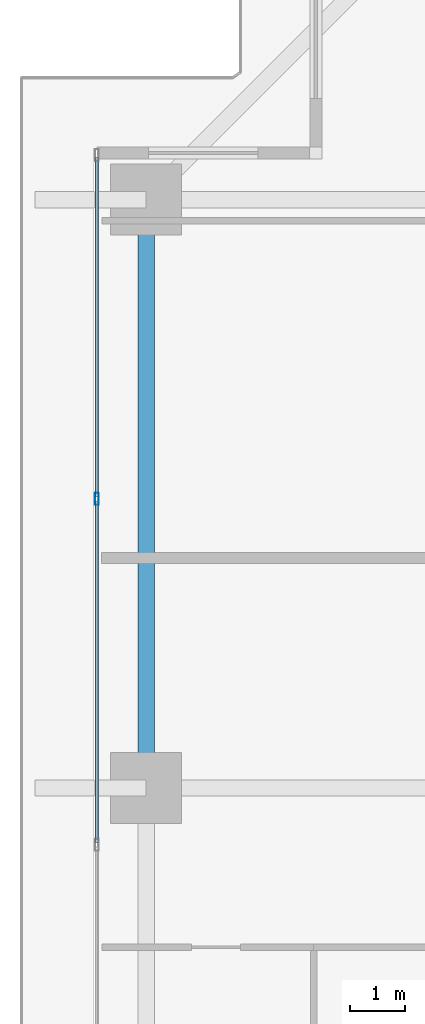
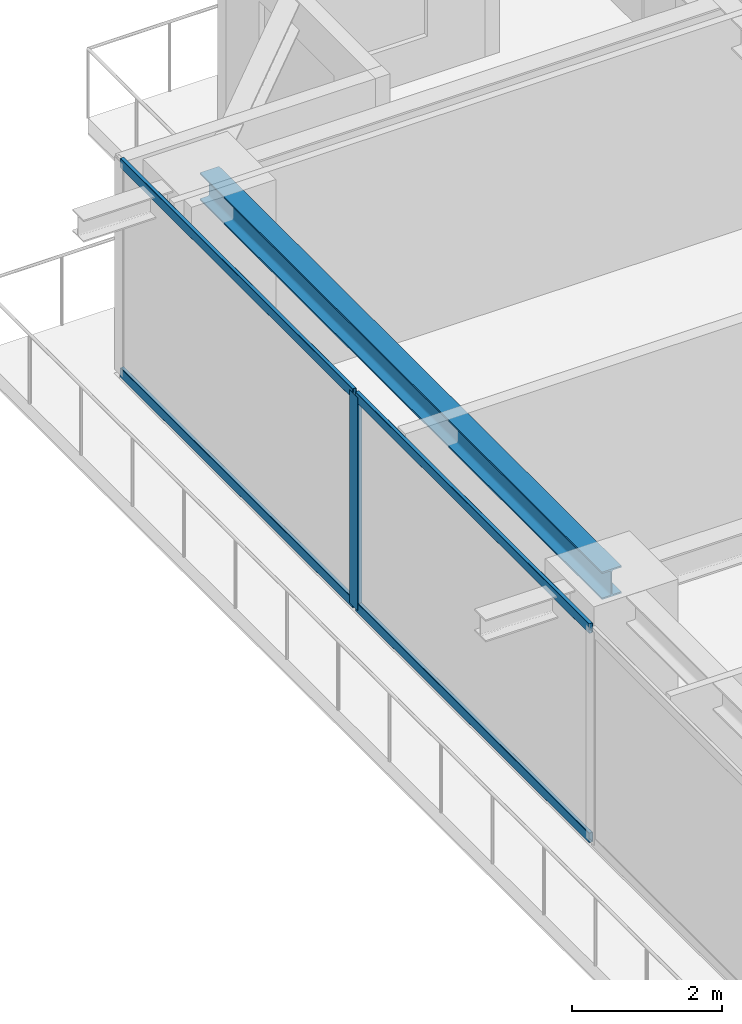
# One storey, part 15 of 35: 5 members, 1 beam, 1 element without a shape of its own.
"""IFC4 building model written with IfcOpenShell, lengths in metres."""

from ifc_helpers import new_model, si_unit, direction, frame, origin, origin_2d, place, context, subcontext, project, spatial, hollow_rectangle, i_section, extrude, source, transform, mapped, material, layer, layer_set, material_profile, profile_set, type_object, element, aggregate, save


model = new_model("IFC4")

# Units and contexts
model_context = context("Model", 3, precision=1e-05, world=origin(), true_north=direction((0.0, 1.0)))
body_context = subcontext(model_context, "Body", "Model", "MODEL_VIEW")
ifc_project = project(units=[si_unit("LENGTHUNIT", "METRE"), si_unit("AREAUNIT", "SQUARE_METRE"), si_unit("VOLUMEUNIT", "CUBIC_METRE"), si_unit("PLANEANGLEUNIT", "RADIAN"), si_unit("MASSUNIT", "GRAM", prefix="KILO")], contexts=[model_context])

# Site, building, storey
site_placement = place(None, origin())
site = spatial("IfcSite", under=ifc_project, at=site_placement, CompositionType="ELEMENT")
building_placement = place(site_placement, origin())
building = spatial("IfcBuilding", under=site, at=building_placement, Name="Serunith Strait Residences", CompositionType="ELEMENT")
storey_placement = place(building_placement, frame((0.0, 0.0, 191.39990234375)))
storey = spatial("IfcBuildingStorey", under=building, at=storey_placement, Name="L48", CompositionType="ELEMENT", Elevation=191.39990234375)

# Beam
ifc_material_1 = material(Name="Steel S355J2", Category="steel")
ifc_material_profile_1 = material_profile(ifc_material_1, i_section(OverallWidth=0.300048828125, OverallDepth=0.449951171875, WebThickness=0.013916015625, FlangeThickness=0.02587890625, FilletRadius=0.027099609375, at=origin_2d()), Name="HEB 450")
ifc_profile_set_1 = profile_set([ifc_material_profile_1], Name="Steel S355J2")
beam_type = type_object("IfcBeamType", Name="BM-HEB450", PredefinedType="BEAM", material=ifc_profile_set_1)
shared_shape_1 = source(origin(), body_context, "Body", "SweptSolid", [
    extrude(i_section(OverallWidth=0.300048828125, OverallDepth=0.449951171875, WebThickness=0.013916015625, FlangeThickness=0.02587890625, FilletRadius=0.027099609375, at=origin_2d()), origin(), (0.0, 0.0, 1.0), 10.75),
])
beam_placement = place(storey_placement, frame((8.699951171875, 40.14990234375, 3.26220703125), z_axis=(0.0, -1.0, 0.0), x_axis=(1.0, 0.0, 0.0)))
element("IfcBeam", 1, at=beam_placement, inside=storey, type_object=beam_type, Name="L48 Perimeter Ring Beam 13", PredefinedType="BEAM", context=body_context, shape_type="MappedRepresentation", body=[
    mapped(shared_shape_1, transform((0.0, 0.0, 0.0), scale=1.0)),
])

# Curtain wall, members
ifc_material_2 = material(Name="Pale-Silver PVDF Aluminium", Category="aluminium")
ifc_layer = layer(ifc_material_2, 0.199951171875, Name="Pale-Silver PVDF Aluminium")
ifc_layer_set = layer_set([ifc_layer], Name="Pale-Silver PVDF Aluminium")
curtain_wall_type = type_object("IfcCurtainWallType", Name="CW-SYS3", PredefinedType="NOTDEFINED", material=ifc_layer_set)
curtain_wall_placement = place(storey_placement, origin())
curtain_wall = element("IfcCurtainWall", 2, at=curtain_wall_placement, inside=storey, type_object=curtain_wall_type, Name="L48 W Unitised Fritted Curtain Wall", PredefinedType="NOTDEFINED")
ifc_material_profile_2 = material_profile(ifc_material_2, hollow_rectangle(XDim=0.074951171875, YDim=0.219970703125, WallThickness=0.00390625, InnerFilletRadius=0.006103515625, OuterFilletRadius=0.010009765625, at=origin_2d()), Name="ALU 220x75x4")
ifc_profile_set_2 = profile_set([ifc_material_profile_2], Name="Pale-Silver PVDF Aluminium")
member_type_1 = type_object("IfcMemberType", Name="CW-SYS3-MULL", PredefinedType="MULLION", material=ifc_profile_set_2)
shared_shape_2 = source(origin(), body_context, "Body", "SweptSolid", [
    extrude(hollow_rectangle(XDim=0.074951171875, YDim=0.219970703125, WallThickness=0.00390625, InnerFilletRadius=0.006103515625, OuterFilletRadius=0.010009765625, at=origin_2d()), origin(), (0.0, 0.0, 1.0), 3.47509765625),
])
member_1_placement = place(storey_placement, frame((7.800048828125, 34.679931640625, 0.0), z_axis=(0.0, 0.0, 1.0), x_axis=(1.0, 0.0, 0.0)))
member_1 = element("IfcMember", 3, at=member_1_placement, type_object=member_type_1, Name="CW-3 mullion 2", PredefinedType="MULLION", context=body_context, shape_type="MappedRepresentation", body=[
    mapped(shared_shape_2, transform((0.0, 0.0, 0.0), scale=1.0)),
])
ifc_material_profile_3 = material_profile(ifc_material_2, hollow_rectangle(XDim=0.06005859375, YDim=0.159912109375, WallThickness=0.00341796875, InnerFilletRadius=0.00537109375, OuterFilletRadius=0.0087890625, at=origin_2d()), Name="ALU 160x60x3.5")
ifc_profile_set_3 = profile_set([ifc_material_profile_3], Name="Pale-Silver PVDF Aluminium")
member_type_2 = type_object("IfcMemberType", Name="CW-SYS3-TRAN", PredefinedType="USERDEFINED", material=ifc_profile_set_3)
shared_shape_3 = source(origin(), body_context, "Body", "SweptSolid", [
    extrude(hollow_rectangle(XDim=0.06005859375, YDim=0.159912109375, WallThickness=0.00341796875, InnerFilletRadius=0.00537109375, OuterFilletRadius=0.0087890625, at=origin_2d()), origin(), (0.0, 0.0, 1.0), 6.20751953125),
])
member_2_placement = place(storey_placement, frame((7.800048828125, 40.925048828125, 0.030029296875), z_axis=(0.0, -1.0, 0.0), x_axis=(1.0, 0.0, 0.0)))
member_2 = element("IfcMember", 4, at=member_2_placement, type_object=member_type_2, Name="CW-3 transom 1.1", ObjectType="TRANSOM", PredefinedType="USERDEFINED", context=body_context, shape_type="MappedRepresentation", body=[
    mapped(shared_shape_3, transform((0.0, 0.0, 0.0), scale=1.0)),
])
member_3_placement = place(storey_placement, frame((7.800048828125, 40.925048828125, 3.445068359375), z_axis=(0.0, -1.0, 0.0), x_axis=(1.0, 0.0, 0.0)))
member_3 = element("IfcMember", 5, at=member_3_placement, type_object=member_type_2, Name="CW-3 transom 1.2", ObjectType="TRANSOM", PredefinedType="USERDEFINED", context=body_context, shape_type="MappedRepresentation", body=[
    mapped(shared_shape_3, transform((0.0, 0.0, 0.0), scale=1.0)),
])
shared_shape_4 = source(origin(), body_context, "Body", "SweptSolid", [
    extrude(hollow_rectangle(XDim=0.06005859375, YDim=0.159912109375, WallThickness=0.00341796875, InnerFilletRadius=0.00537109375, OuterFilletRadius=0.0087890625, at=origin_2d()), origin(), (0.0, 0.0, 1.0), 6.2451171875),
])
member_4_placement = place(storey_placement, frame((7.800048828125, 34.642578125, 0.030029296875), z_axis=(0.0, -1.0, 0.0), x_axis=(1.0, 0.0, 0.0)))
member_4 = element("IfcMember", 6, at=member_4_placement, type_object=member_type_2, Name="CW-3 transom 2.1", ObjectType="TRANSOM", PredefinedType="USERDEFINED", context=body_context, shape_type="MappedRepresentation", body=[
    mapped(shared_shape_4, transform((0.0, 0.0, 0.0), scale=1.0)),
])
member_5_placement = place(storey_placement, frame((7.800048828125, 34.642578125, 3.445068359375), z_axis=(0.0, -1.0, 0.0), x_axis=(1.0, 0.0, 0.0)))
member_5 = element("IfcMember", 7, at=member_5_placement, type_object=member_type_2, Name="CW-3 transom 2.2", ObjectType="TRANSOM", PredefinedType="USERDEFINED", context=body_context, shape_type="MappedRepresentation", body=[
    mapped(shared_shape_4, transform((0.0, 0.0, 0.0), scale=1.0)),
])
aggregate(curtain_wall, [member_1, member_2, member_3, member_4, member_5])

save(model, "model.ifc")
